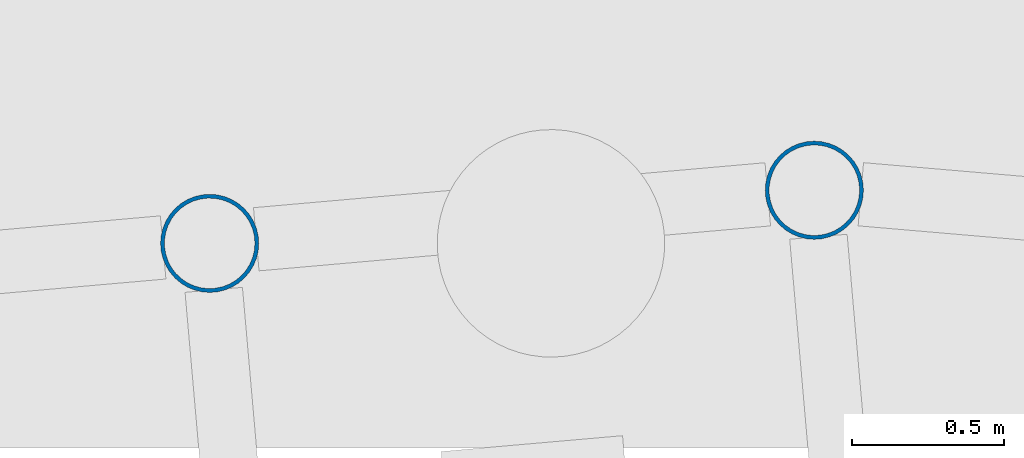
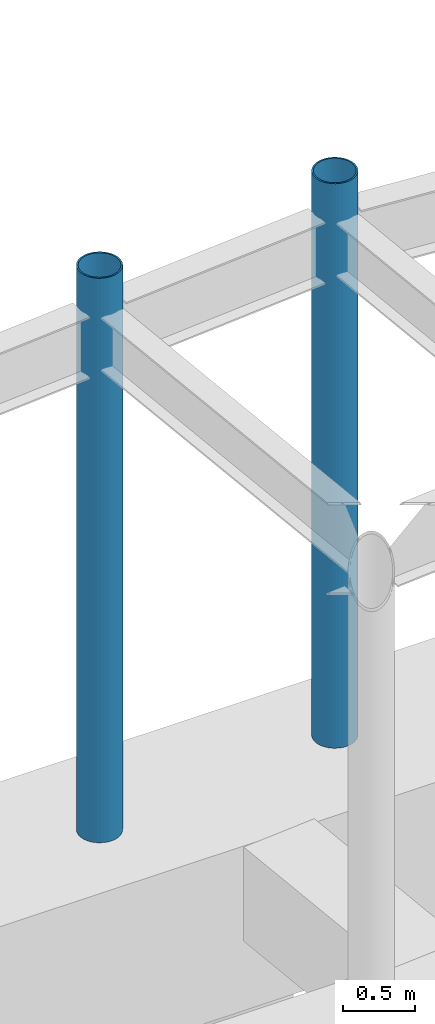
# One storey, part 22 of 68: 2 columns.
"""IFC4 building model written with IfcOpenShell, lengths in metres."""

from ifc_helpers import new_model, si_unit, direction, frame, origin, origin_2d, place, context, subcontext, project, spatial, hollow_circle, extrude, material, material_profile, profile_set, type_object, element, save


model = new_model("IFC4")

# Units and contexts
model_context = context("Model", 3, precision=1e-05, world=origin(), true_north=direction((0.0, 1.0)))
body_context = subcontext(model_context, "Body", "Model", "MODEL_VIEW")
ifc_project = project(units=[si_unit("LENGTHUNIT", "METRE"), si_unit("AREAUNIT", "SQUARE_METRE"), si_unit("VOLUMEUNIT", "CUBIC_METRE"), si_unit("PLANEANGLEUNIT", "RADIAN"), si_unit("MASSUNIT", "GRAM", prefix="KILO")], contexts=[model_context])

# Site, building, storey
site_placement = place(None, origin())
site = spatial("IfcSite", under=ifc_project, at=site_placement, CompositionType="ELEMENT")
building_placement = place(site_placement, origin())
building = spatial("IfcBuilding", under=site, at=building_placement, Name="Cinderbank Siding Concert Hall", CompositionType="ELEMENT")
storey_placement = place(building_placement, frame((0.0, 0.0, -4.800048828125)))
storey = spatial("IfcBuildingStorey", under=building, at=storey_placement, Name="B1", CompositionType="ELEMENT", Elevation=-4.800048828125)

# Columns
ifc_material = material(Name="Structural steel hollow section AS/NZS 1163 Grade C350L0 (350 MPa)", Category="steel")
ifc_material_profile = material_profile(ifc_material, hollow_circle(Radius=0.161865234375, WallThickness=0.0126953125, at=origin_2d()), Name="323.9x12.7CHS", Category="LoadBearing")
ifc_profile_set = profile_set([ifc_material_profile], Name="Structural steel hollow section AS/NZS 1163 Grade C350L0 (350 MPa)")
column_type = type_object("IfcColumnType", Name="C-CHS323 323.9x12.7CHS", PredefinedType="COLUMN", material=ifc_profile_set)
for number, where, z_axis, x_axis, name in (
    (1, (77.200927734375, 102.260986328125, 0.0), (0.0, 0.0, 1.0), (1.0, 0.0, 0.0), "B1 Column COL-BRL-03"),
    (2, (79.194091796875, 102.43603515625, 0.0), (0.0, 0.0, 1.0), (1.0, 0.0, 0.0), "B1 Column COL-BRL-04"),
):
    element("IfcColumn", number, at=place(storey_placement, frame(where, z_axis=z_axis, x_axis=x_axis)), inside=storey, type_object=column_type, Name=name, PredefinedType="COLUMN", context=body_context, shape_type="SweptSolid", body=[
        extrude(hollow_circle(Radius=0.161865234375, WallThickness=0.0126953125, at=origin_2d()), origin(), (0.0, 0.0, 1.0), 4.800048828125),
    ])

save(model, "model.ifc")
